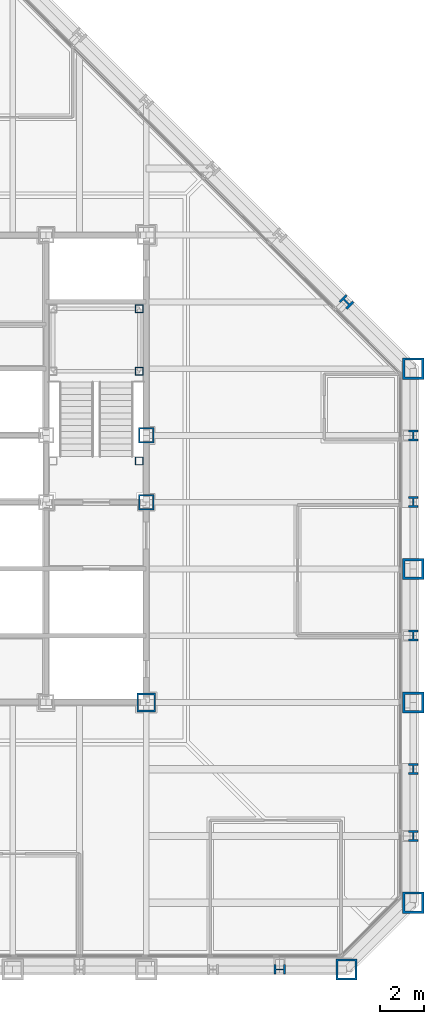
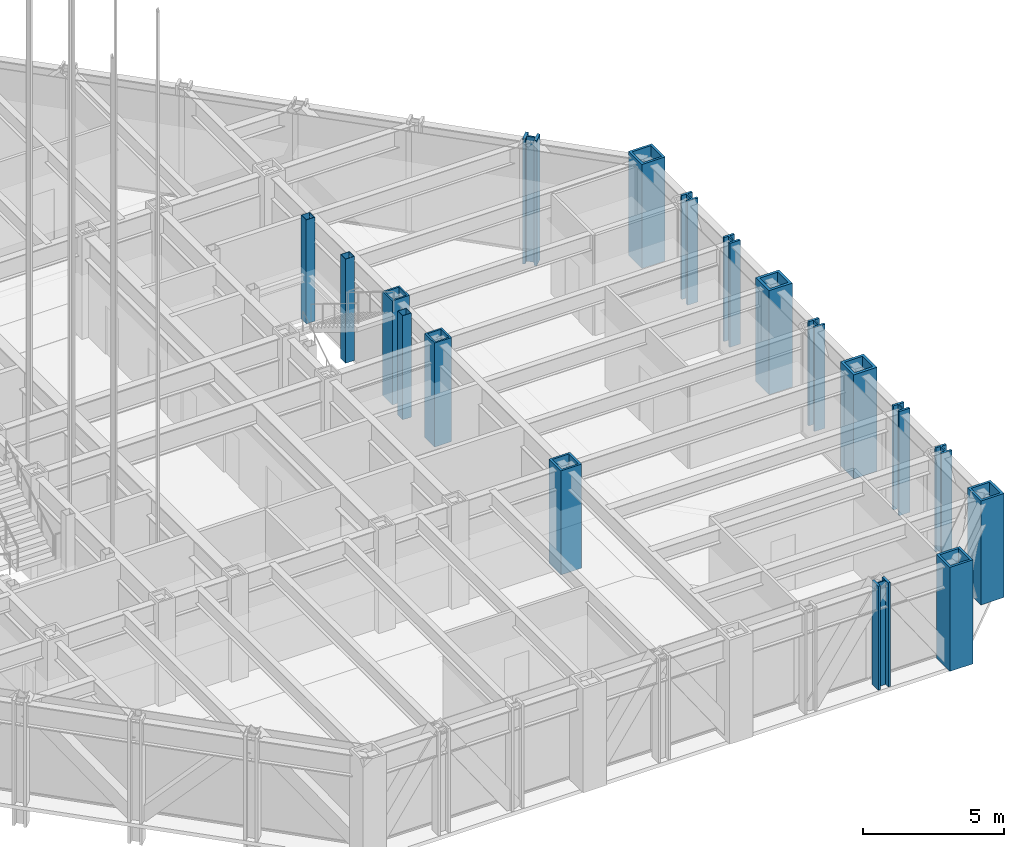
# One storey, part 2 of 26: 18 columns.
"""IFC4 building model written with IfcOpenShell, lengths in metres."""

from ifc_helpers import new_model, si_unit, direction, frame, origin, origin_2d, place, context, subcontext, project, spatial, hollow_rectangle, i_section, extrude, material, material_profile, profile_set, type_object, element, save


model = new_model("IFC4")

# Units and contexts
model_context = context("Model", 3, precision=1e-05, world=origin(), true_north=direction((0.0, 1.0)))
body_context = subcontext(model_context, "Body", "Model", "MODEL_VIEW")
ifc_project = project(units=[si_unit("LENGTHUNIT", "METRE"), si_unit("AREAUNIT", "SQUARE_METRE"), si_unit("VOLUMEUNIT", "CUBIC_METRE"), si_unit("PLANEANGLEUNIT", "RADIAN"), si_unit("MASSUNIT", "GRAM", prefix="KILO")], contexts=[model_context])

# Site, building, storey
site_placement = place(None, origin())
site = spatial("IfcSite", under=ifc_project, at=site_placement, CompositionType="ELEMENT")
building_placement = place(site_placement, origin())
building = spatial("IfcBuilding", under=site, at=building_placement, Name="Chuquiago Exchange Tower", CompositionType="ELEMENT")
storey_placement = place(building_placement, frame((0.0, 0.0, 102.300048828125)))
storey = spatial("IfcBuildingStorey", under=building, at=storey_placement, Name="L21", CompositionType="ELEMENT", Elevation=102.300048828125)

# Columns
ifc_material_1 = material(Name="Steel ASTM A992", Category="steel")
ifc_material_profile_1 = material_profile(ifc_material_1, i_section(OverallWidth=0.431884765625, OverallDepth=0.497802734375, WebThickness=0.0556640625, FlangeThickness=0.0888671875, at=origin_2d()), Name="W14X500")
ifc_profile_set_1 = profile_set([ifc_material_profile_1], Name="Steel ASTM A992")
column_type_1 = type_object("IfcColumnType", Name="C3 W14X500", PredefinedType="COLUMN", material=ifc_profile_set_1)
for number, where, z_axis, x_axis, name in (
    (1, (39.0, 0.0, 0.0), (0.0, 0.0, 1.0), (0.0, -1.0, 0.0), "COL-L21-39_0"),
    (2, (45.0, 6.0, 0.0), (0.0, 0.0, 1.0), (1.0, 0.0, 0.0), "COL-L21-45_6"),
    (3, (45.0, 9.0, 0.0), (0.0, 0.0, 1.0), (1.0, 0.0, 0.0), "COL-L21-45_9"),
    (4, (45.0, 15.0, 0.0), (0.0, 0.0, 1.0), (1.0, 0.0, 0.0), "COL-L21-45_15"),
    (5, (45.0, 21.0, 0.0), (0.0, 0.0, 1.0), (1.0, 0.0, 0.0), "COL-L21-45_21"),
    (6, (45.0, 24.0, 0.0), (0.0, 0.0, 1.0), (1.0, 0.0, 0.0), "COL-L21-45_24"),
):
    element("IfcColumn", number, at=place(storey_placement, frame(where, z_axis=z_axis, x_axis=x_axis)), inside=storey, type_object=column_type_1, Name=name, PredefinedType="COLUMN", context=body_context, shape_type="SweptSolid", body=[
        extrude(i_section(OverallWidth=0.431884765625, OverallDepth=0.497802734375, WebThickness=0.0556640625, FlangeThickness=0.0888671875, at=origin_2d()), origin(), (0.0, 0.0, 1.0), 4.5),
    ])
ifc_material_2 = material(Name="Steel ASTM A572 Grade 50", Category="steel")
ifc_material_profile_2 = material_profile(ifc_material_2, hollow_rectangle(XDim=0.699951171875, YDim=0.699951171875, WallThickness=0.070068359375, at=origin_2d()), Name="BOX700X700X70")
ifc_profile_set_2 = profile_set([ifc_material_profile_2], Name="Steel ASTM A572 Grade 50")
column_type_2 = type_object("IfcColumnType", Name="CC3 BOX700X700X70", PredefinedType="COLUMN", material=ifc_profile_set_2)
for number, where, z_axis, x_axis, name in (
    (7, (33.0, 21.0, 0.0), (0.0, 0.0, 1.0), (1.0, 0.0, 0.0), "CCOL-L21-33_21"),
    (8, (33.0, 24.0, 0.0), (0.0, 0.0, 1.0), (1.0, 0.0, 0.0), "CCOL-L21-33_24"),
):
    element("IfcColumn", number, at=place(storey_placement, frame(where, z_axis=z_axis, x_axis=x_axis)), inside=storey, type_object=column_type_2, Name=name, PredefinedType="COLUMN", context=body_context, shape_type="SweptSolid", body=[
        extrude(hollow_rectangle(XDim=0.699951171875, YDim=0.699951171875, WallThickness=0.070068359375, at=origin_2d()), origin(), (0.0, 0.0, 1.0), 4.5),
    ])
ifc_material_3 = material(Name="Steel ASTM A572 Grade 50", Category="steel")
ifc_material_profile_3 = material_profile(ifc_material_3, hollow_rectangle(XDim=0.85009765625, YDim=0.85009765625, WallThickness=0.0849609375, at=origin_2d()), Name="BOX850X850X85")
ifc_profile_set_3 = profile_set([ifc_material_profile_3], Name="Steel ASTM A572 Grade 50")
column_type_3 = type_object("IfcColumnType", Name="CC6 BOX850X850X85", PredefinedType="COLUMN", material=ifc_profile_set_3)
column_1_placement = place(storey_placement, frame((33.0, 12.0, 0.0), z_axis=(0.0, 0.0, 1.0), x_axis=(1.0, 0.0, 0.0)))
element("IfcColumn", 9, at=column_1_placement, inside=storey, type_object=column_type_3, Name="CCOL-L21-33_12", PredefinedType="COLUMN", context=body_context, shape_type="SweptSolid", body=[
    extrude(hollow_rectangle(XDim=0.85009765625, YDim=0.85009765625, WallThickness=0.0849609375, at=origin_2d()), origin(), (0.0, 0.0, 1.0), 4.5),
])
ifc_material_4 = material(Name="Steel ASTM A992", Category="steel")
ifc_material_profile_4 = material_profile(ifc_material_4, i_section(OverallWidth=0.44189453125, OverallDepth=0.53076171875, WebThickness=0.06591796875, FlangeThickness=0.105712890625, at=origin_2d()), Name="W14X605")
ifc_profile_set_4 = profile_set([ifc_material_profile_4], Name="Steel ASTM A992")
column_type_4 = type_object("IfcColumnType", Name="CK3 W14X605", PredefinedType="COLUMN", material=ifc_profile_set_4)
column_2_placement = place(storey_placement, frame((42.0, 30.0, -0.91015625), z_axis=(0.0, 0.0, 1.0), x_axis=(0.707106781187, 0.707106781187, 0.0)))
element("IfcColumn", 10, at=column_2_placement, inside=storey, type_object=column_type_4, Name="COL-L21-42_30", PredefinedType="COLUMN", context=body_context, shape_type="SweptSolid", body=[
    extrude(i_section(OverallWidth=0.44189453125, OverallDepth=0.53076171875, WebThickness=0.06591796875, FlangeThickness=0.105712890625, at=origin_2d()), origin(), (0.0, 0.0, 1.0), 5.41015625),
])
ifc_material_5 = material(Name="Steel ASTM A572 Grade 50", Category="steel")
ifc_material_profile_5 = material_profile(ifc_material_5, hollow_rectangle(XDim=0.949951171875, YDim=0.949951171875, WallThickness=0.094970703125, at=origin_2d()), Name="BOX950X950X95")
ifc_profile_set_5 = profile_set([ifc_material_profile_5], Name="Steel ASTM A572 Grade 50")
column_type_5 = type_object("IfcColumnType", Name="CN1 BOX950X950X95", PredefinedType="COLUMN", material=ifc_profile_set_5)
for number, where, z_axis, x_axis, name in (
    (11, (42.0, 0.0, 0.0), (0.0, 0.0, 1.0), (0.0, -1.0, 0.0), "COL-L21-42_0"),
    (12, (45.0, 3.0, 0.0), (0.0, 0.0, 1.0), (1.0, 0.0, 0.0), "COL-L21-45_3"),
    (13, (45.0, 27.0, 0.0), (0.0, 0.0, 1.0), (1.0, 0.0, 0.0), "COL-L21-45_27"),
):
    element("IfcColumn", number, at=place(storey_placement, frame(where, z_axis=z_axis, x_axis=x_axis)), inside=storey, type_object=column_type_5, Name=name, PredefinedType="COLUMN", context=body_context, shape_type="SweptSolid", body=[
        extrude(hollow_rectangle(XDim=0.949951171875, YDim=0.949951171875, WallThickness=0.094970703125, at=origin_2d()), origin(), (0.0, 0.0, 1.0), 4.5),
    ])
ifc_material_6 = material(Name="Steel ASTM A572 Grade 42", Category="steel")
ifc_material_profile_6 = material_profile(ifc_material_6, hollow_rectangle(XDim=0.949951171875, YDim=0.949951171875, WallThickness=0.110107421875, at=origin_2d()), Name="BOX950X950X110")
ifc_profile_set_6 = profile_set([ifc_material_profile_6], Name="Steel ASTM A572 Grade 42")
column_type_6 = type_object("IfcColumnType", Name="CT1 BOX950X950X110", PredefinedType="COLUMN", material=ifc_profile_set_6)
for number, where, z_axis, x_axis, name in (
    (14, (45.0, 12.0, 0.0), (0.0, 0.0, 1.0), (1.0, 0.0, 0.0), "COL-L21-45_12"),
    (15, (45.0, 18.0, 0.0), (0.0, 0.0, 1.0), (1.0, 0.0, 0.0), "COL-L21-45_18"),
):
    element("IfcColumn", number, at=place(storey_placement, frame(where, z_axis=z_axis, x_axis=x_axis)), inside=storey, type_object=column_type_6, Name=name, PredefinedType="COLUMN", context=body_context, shape_type="SweptSolid", body=[
        extrude(hollow_rectangle(XDim=0.949951171875, YDim=0.949951171875, WallThickness=0.110107421875, at=origin_2d()), origin(), (0.0, 0.0, 1.0), 4.5),
    ])
ifc_material_7 = material(Name="Steel ASTM A500 Grade C", Category="steel")
ifc_material_profile_7 = material_profile(ifc_material_7, hollow_rectangle(XDim=0.355712890625, YDim=0.355712890625, WallThickness=0.0146484375, at=origin_2d()), Name="HSS14X14X5/8")
ifc_profile_set_7 = profile_set([ifc_material_profile_7], Name="Steel ASTM A500 Grade C")
column_type_7 = type_object("IfcColumnType", Name="PT2 HSS14X14X5/8", PredefinedType="COLUMN", material=ifc_profile_set_7)
for number, where, z_axis, x_axis, name in (
    (16, (32.68994140625, 29.68994140625, 0.0), (0.0, 0.0, 1.0), (1.0, 0.0, 0.0), "Stair ST2 L21 landing post"),
    (17, (32.68994140625, 26.889892578125, 0.0), (0.0, 0.0, 1.0), (1.0, 0.0, 0.0), "Stair ST2 L21 landing post"),
    (18, (32.68994140625, 22.85009765625, 0.0), (0.0, 0.0, 1.0), (1.0, 0.0, 0.0), "Stair ST2 L21 landing post"),
):
    element("IfcColumn", number, at=place(storey_placement, frame(where, z_axis=z_axis, x_axis=x_axis)), inside=storey, type_object=column_type_7, Name=name, PredefinedType="COLUMN", context=body_context, shape_type="SweptSolid", body=[
        extrude(hollow_rectangle(XDim=0.355712890625, YDim=0.355712890625, WallThickness=0.0146484375, at=origin_2d()), origin(), (0.0, 0.0, 1.0), 4.5),
    ])

save(model, "model.ifc")
